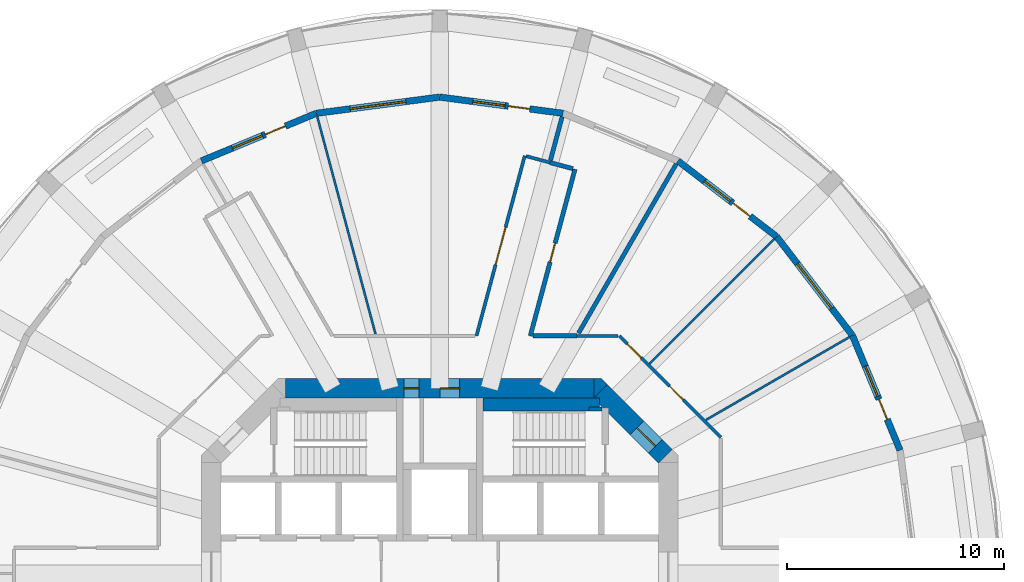
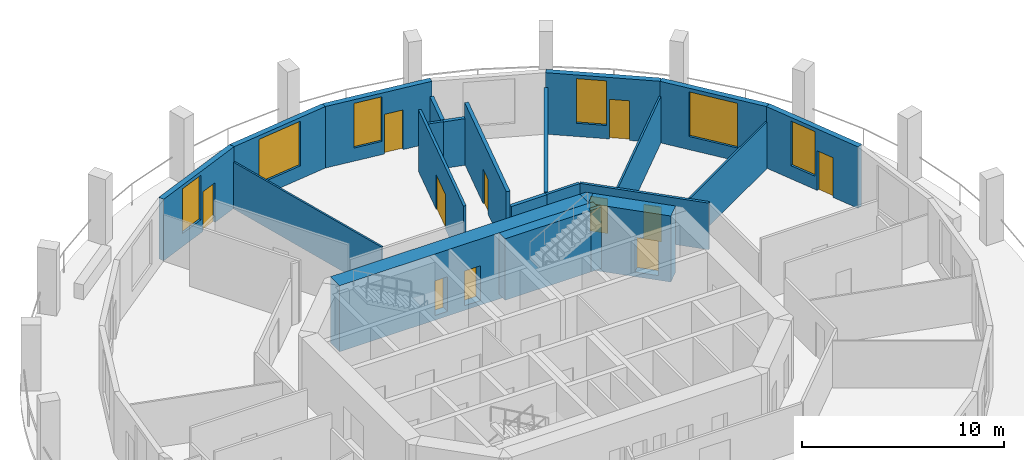
# One storey, part 6 of 9: 23 walls, 11 doors, 6 windows, 17 openings.
"""IFC4 building model written with IfcOpenShell, lengths in metres."""

from ifc_helpers import new_model, si_unit, direction, frame, frame_2d, origin, place, context, subcontext, project, spatial, polyline, rectangle, outline, extrude, material, layer, layer_set, type_object, element, fill, save


model = new_model("IFC4")

# Units and contexts
model_context = context("Model", 3, precision=1e-05, world=origin(), true_north=direction((0.0, 1.0)))
body_context = subcontext(model_context, "Body", "Model", "MODEL_VIEW")
ifc_project = project(units=[si_unit("LENGTHUNIT", "METRE"), si_unit("AREAUNIT", "SQUARE_METRE"), si_unit("VOLUMEUNIT", "CUBIC_METRE"), si_unit("PLANEANGLEUNIT", "RADIAN"), si_unit("MASSUNIT", "GRAM", prefix="KILO")], contexts=[model_context])

# Site, building, storey
site_placement = place(None, origin())
site = spatial("IfcSite", under=ifc_project, at=site_placement, CompositionType="ELEMENT")
building_placement = place(site_placement, origin())
building = spatial("IfcBuilding", under=site, at=building_placement, Name="Torre Triforio", CompositionType="ELEMENT")
storey_placement = place(building_placement, frame((0.0, 0.0, 98.60009765625)))
storey = spatial("IfcBuildingStorey", under=building, at=storey_placement, Name="L21", CompositionType="ELEMENT", Elevation=98.60009765625)

# Wall, openings, doors
ifc_material_1 = material(Name="Concrete C60", Category="concrete")
ifc_layer_1 = layer(ifc_material_1, 0.89990234375)
ifc_layer_set_1 = layer_set([ifc_layer_1], Name="Concrete C60")
wall_type_1 = type_object("IfcWallType", Name="Core wall 900 mm C60 EI 120", PredefinedType="SHEAR", material=ifc_layer_set_1)
wall_1_placement = place(storey_placement, frame((-7.1298828125, 8.550048828125, -0.280029296875), z_axis=(0.0, 0.0, 1.0), x_axis=(1.0, 0.0, 0.0)))
wall_1 = element("IfcWall", 1, at=wall_1_placement, inside=storey, type_object=wall_type_1, Name="Core wall", PredefinedType="SHEAR", context=body_context, shape_type="SweptSolid", body=[
    extrude(rectangle(XDim=14.259765625, YDim=0.89990234375, at=frame_2d((7.1298828125, 0.0))), origin(), (0.0, 0.0, 1.0), 4.0),
])
opening_1_placement = place(wall_1_placement, frame((5.47998046875, 0.0, 0.280029296875)))
opening_1 = element("IfcOpeningElement", 2, at=opening_1_placement, cuts=wall_1, Name="Opening RISER-N", PredefinedType="OPENING", context=body_context, shape_type="SweptSolid", body=[
    extrude(rectangle(XDim=0.699951171875, YDim=2.10009765625, at=frame_2d((0.35009765625, 1.050048828125))), frame((0.0, 0.4599609375, 0.0), z_axis=(0.0, -1.0, 0.0), x_axis=(1.0, 0.0, 0.0)), (0.0, 0.0, 1.0), 0.919921875),
])
opening_2_placement = place(wall_1_placement, frame((7.155029296875, 0.0, 0.280029296875)))
opening_2 = element("IfcOpeningElement", 3, at=opening_2_placement, cuts=wall_1, Name="Opening NE-01", PredefinedType="OPENING", context=body_context, shape_type="SweptSolid", body=[
    extrude(rectangle(XDim=0.89990234375, YDim=2.10009765625, at=frame_2d((0.449951171875, 1.050048828125))), frame((0.0, 0.4599609375, 0.0), z_axis=(0.0, -1.0, 0.0), x_axis=(1.0, 0.0, 0.0)), (0.0, 0.0, 1.0), 0.919921875),
])
ifc_material_2 = material(Name="Hollow metal fire door leaf")
door_type_1 = type_object("IfcDoorType", Name="Riser door 700 x 2100 EI 60", OperationType="NOTDEFINED", PredefinedType="DOOR", material=ifc_material_2)
door_1_placement = place(opening_1_placement, origin())
door_1 = element("IfcDoor", 4, at=door_1_placement, inside=storey, type_object=door_type_1, Name="Core door RISER-N", OperationType="SINGLE_SWING_LEFT", OverallHeight=2.10009765625, OverallWidth=0.699951171875, PredefinedType="DOOR", context=body_context, shape_type="SweptSolid", body=[
    extrude(rectangle(XDim=0.699951171875, YDim=2.10009765625, at=frame_2d((0.35009765625, 1.050048828125))), frame((0.0, 0.02490234375, 0.0), z_axis=(0.0, -1.0, 0.0), x_axis=(1.0, 0.0, 0.0)), (0.0, 0.0, 1.0), 0.050048828125),
])
fill(opening_1, door_1)
door_type_2 = type_object("IfcDoorType", Name="Room door 900 x 2100 EI 60", OperationType="NOTDEFINED", PredefinedType="DOOR", material=ifc_material_2)
door_2_placement = place(opening_2_placement, origin())
door_2 = element("IfcDoor", 5, at=door_2_placement, inside=storey, type_object=door_type_2, Name="Core door NE-01", OperationType="SINGLE_SWING_RIGHT", OverallHeight=2.10009765625, OverallWidth=0.89990234375, PredefinedType="DOOR", context=body_context, shape_type="SweptSolid", body=[
    extrude(rectangle(XDim=0.89990234375, YDim=2.10009765625, at=frame_2d((0.449951171875, 1.050048828125))), frame((0.0, 0.02490234375, 0.0), z_axis=(0.0, -1.0, 0.0), x_axis=(1.0, 0.0, 0.0)), (0.0, 0.0, 1.0), 0.050048828125),
])
fill(opening_2, door_2)

# Wall, opening, door
wall_2_placement = place(storey_placement, frame((7.418212890625, 8.418212890625, -0.280029296875), z_axis=(0.0, 0.0, 1.0), x_axis=(0.707106781187, -0.707106781187, 0.0)))
wall_2 = element("IfcWall", 6, at=wall_2_placement, inside=storey, type_object=wall_type_1, Name="Core wall", PredefinedType="SHEAR", context=body_context, shape_type="SweptSolid", body=[
    extrude(rectangle(XDim=4.24267578125, YDim=0.89990234375, at=frame_2d((2.121337890625, 0.0))), origin(), (0.0, 0.0, 1.0), 4.0),
])
opening_3_placement = place(wall_2_placement, frame((2.392578125, 0.0, 0.280029296875)))
opening_3 = element("IfcOpeningElement", 7, at=opening_3_placement, cuts=wall_2, Name="Opening ST2-EXIT", PredefinedType="OPENING", context=body_context, shape_type="SweptSolid", body=[
    extrude(rectangle(XDim=1.199951171875, YDim=2.10009765625, at=frame_2d((0.60009765625, 1.050048828125))), frame((0.0, 0.4599609375, 0.0), z_axis=(0.0, -1.0, 0.0), x_axis=(1.0, 0.0, 0.0)), (0.0, 0.0, 1.0), 0.919921875),
])
door_type_3 = type_object("IfcDoorType", Name="Stair lobby door 1200 x 2100 EI 60", OperationType="NOTDEFINED", PredefinedType="DOOR", material=ifc_material_2)
door_3_placement = place(opening_3_placement, origin())
door_3 = element("IfcDoor", 8, at=door_3_placement, inside=storey, type_object=door_type_3, Name="Core door ST2-EXIT", OperationType="SINGLE_SWING_RIGHT", OverallHeight=2.10009765625, OverallWidth=1.199951171875, PredefinedType="DOOR", context=body_context, shape_type="SweptSolid", body=[
    extrude(rectangle(XDim=1.199951171875, YDim=2.10009765625, at=frame_2d((0.60009765625, 1.050048828125))), frame((0.0, 0.02490234375, 0.0), z_axis=(0.0, -1.0, 0.0), x_axis=(1.0, 0.0, 0.0)), (0.0, 0.0, 1.0), 0.050048828125),
])
fill(opening_3, door_3)

# Wall
wall_3_placement = place(storey_placement, frame((0.0, 0.0, -0.280029296875)))
element("IfcWall", 9, at=wall_3_placement, inside=storey, type_object=wall_type_1, Name="Core wall", PredefinedType="SHEAR", context=body_context, shape_type="SweptSolid", body=[
    extrude(outline(polyline([(7.472900390625, 9.0), (7.736328125, 8.736328125), (7.1298828125, 8.1298828125), (7.1298828125, 9.0), (7.472900390625, 9.0)])), origin(), (0.0, 0.0, 1.0), 4.0),
])

# Wall, opening, door
ifc_material_3 = material(Name="Plasterboard on metal studs")
ifc_layer_2 = layer(ifc_material_3, 0.14990234375)
ifc_layer_set_2 = layer_set([ifc_layer_2], Name="Plasterboard on metal studs")
wall_type_2 = type_object("IfcWallType", Name="Corridor and tenancy wall 150 mm EI 60", PredefinedType="PARTITIONING", material=ifc_layer_set_2)
wall_4_placement = place(storey_placement, frame((1.698486328125, 10.97509765625, 0.0), z_axis=(0.0, 0.0, 1.0), x_axis=(0.258804606039, 0.965929695109, 0.0)))
wall_4 = element("IfcWall", 10, at=wall_4_placement, inside=storey, type_object=wall_type_2, Name="Partition 13", PredefinedType="PARTITIONING", context=body_context, shape_type="SweptSolid", body=[
    extrude(rectangle(XDim=8.60791015625, YDim=0.14990234375, at=frame_2d((4.303955078125, 0.0))), origin(), (0.0, 0.0, 1.0), 3.719970703125),
])
opening_4_placement = place(wall_4_placement, frame((3.404052734375, 0.0, 0.0)))
opening_4 = element("IfcOpeningElement", 11, at=opening_4_placement, cuts=wall_4, Name="Opening N7-13", PredefinedType="OPENING", context=body_context, shape_type="SweptSolid", body=[
    extrude(rectangle(XDim=1.800048828125, YDim=2.10009765625, at=frame_2d((0.89990234375, 1.050048828125))), frame((0.0, 0.0849609375, 0.0), z_axis=(0.0, -1.0, 0.0), x_axis=(1.0, 0.0, 0.0)), (0.0, 0.0, 1.0), 0.169921875),
])
ifc_material_4 = material(Name="Timber", Category="wood")
door_type_4 = type_object("IfcDoorType", Name="Door 1800 x 2100 double leaf EI 30", OperationType="DOUBLE_DOOR_SINGLE_SWING", PredefinedType="DOOR", material=ifc_material_4)
door_4_placement = place(opening_4_placement, origin())
door_4 = element("IfcDoor", 12, at=door_4_placement, inside=storey, type_object=door_type_4, Name="Door N7-13", OperationType="DOUBLE_DOOR_SINGLE_SWING", OverallHeight=2.10009765625, OverallWidth=1.800048828125, PredefinedType="DOOR", context=body_context, shape_type="SweptSolid", body=[
    extrude(rectangle(XDim=1.800048828125, YDim=2.10009765625, at=frame_2d((0.89990234375, 1.050048828125))), frame((0.0, 0.02490234375, 0.0), z_axis=(0.0, -1.0, 0.0), x_axis=(1.0, 0.0, 0.0)), (0.0, 0.0, 1.0), 0.050048828125),
])
fill(opening_4, door_4)

# Walls
wall_5_placement = place(storey_placement, frame((3.998779296875, 19.2705078125, 0.0), z_axis=(0.0, 0.0, 1.0), x_axis=(0.965906393436, -0.258891558609, 0.0)))
element("IfcWall", 13, at=wall_5_placement, inside=storey, type_object=wall_type_2, Name="Partition 14", PredefinedType="PARTITIONING", context=body_context, shape_type="SweptSolid", body=[
    extrude(rectangle(XDim=1.125, YDim=0.14990234375, at=frame_2d((0.5625, 0.0))), origin(), (0.0, 0.0, 1.0), 2.81982421875),
])
wall_6_placement = place(storey_placement, frame((6.33642578125, 10.97509765625, 0.0), z_axis=(0.0, 0.0, 1.0), x_axis=(1.0, 0.0, 0.0)))
element("IfcWall", 14, at=wall_6_placement, inside=storey, type_object=wall_type_2, Name="Partition 18", PredefinedType="PARTITIONING", context=body_context, shape_type="SweptSolid", body=[
    extrude(rectangle(XDim=1.90185546875, YDim=0.14990234375, at=frame_2d((0.950927734375, 0.0))), origin(), (0.0, 0.0, 1.0), 2.81982421875),
])

# Wall, openings, doors
wall_7_placement = place(storey_placement, frame((8.291015625, 10.97509765625, 0.0), z_axis=(0.0, 0.0, 1.0), x_axis=(0.707106781187, -0.707106781187, 0.0)))
wall_7 = element("IfcWall", 15, at=wall_7_placement, inside=storey, type_object=wall_type_2, Name="Partition 19", PredefinedType="PARTITIONING", context=body_context, shape_type="SweptSolid", body=[
    extrude(rectangle(XDim=6.624267578125, YDim=0.14990234375, at=frame_2d((3.31201171875, 0.0))), origin(), (0.0, 0.0, 1.0), 2.81982421875),
])
opening_5_placement = place(wall_7_placement, frame((3.27392578125, 0.0, 0.0)))
opening_5 = element("IfcOpeningElement", 16, at=opening_5_placement, cuts=wall_7, Name="Opening N7-10", PredefinedType="OPENING", context=body_context, shape_type="SweptSolid", body=[
    extrude(rectangle(XDim=0.89990234375, YDim=2.10009765625, at=frame_2d((0.449951171875, 1.050048828125))), frame((0.0, 0.0849609375, 0.0), z_axis=(0.0, -1.0, 0.0), x_axis=(1.0, 0.0, 0.0)), (0.0, 0.0, 1.0), 0.169921875),
])
opening_6_placement = place(wall_7_placement, frame((0.52392578125, 0.0, 0.0)))
opening_6 = element("IfcOpeningElement", 17, at=opening_6_placement, cuts=wall_7, Name="Opening N7-11", PredefinedType="OPENING", context=body_context, shape_type="SweptSolid", body=[
    extrude(rectangle(XDim=0.89990234375, YDim=2.10009765625, at=frame_2d((0.449951171875, 1.050048828125))), frame((0.0, 0.0849609375, 0.0), z_axis=(0.0, -1.0, 0.0), x_axis=(1.0, 0.0, 0.0)), (0.0, 0.0, 1.0), 0.169921875),
])
door_type_5 = type_object("IfcDoorType", Name="Door 900 x 2100 single leaf EI 30", OperationType="NOTDEFINED", PredefinedType="DOOR", material=ifc_material_4)
door_5_placement = place(opening_5_placement, origin())
door_5 = element("IfcDoor", 18, at=door_5_placement, inside=storey, type_object=door_type_5, Name="Door N7-10", OperationType="SINGLE_SWING_RIGHT", OverallHeight=2.10009765625, OverallWidth=0.89990234375, PredefinedType="DOOR", context=body_context, shape_type="SweptSolid", body=[
    extrude(rectangle(XDim=0.89990234375, YDim=2.10009765625, at=frame_2d((0.449951171875, 1.050048828125))), frame((0.0, 0.02490234375, 0.0), z_axis=(0.0, -1.0, 0.0), x_axis=(1.0, 0.0, 0.0)), (0.0, 0.0, 1.0), 0.050048828125),
])
fill(opening_5, door_5)
door_6_placement = place(opening_6_placement, origin())
door_6 = element("IfcDoor", 19, at=door_6_placement, inside=storey, type_object=door_type_5, Name="Door N7-11", OperationType="SINGLE_SWING_LEFT", OverallHeight=2.10009765625, OverallWidth=0.89990234375, PredefinedType="DOOR", context=body_context, shape_type="SweptSolid", body=[
    extrude(rectangle(XDim=0.89990234375, YDim=2.10009765625, at=frame_2d((0.449951171875, 1.050048828125))), frame((0.0, 0.02490234375, 0.0), z_axis=(0.0, -1.0, 0.0), x_axis=(1.0, 0.0, 0.0)), (0.0, 0.0, 1.0), 0.050048828125),
])
fill(opening_6, door_6)

# Walls
ifc_layer_3 = layer(ifc_material_3, 0.10009765625)
ifc_layer_set_3 = layer_set([ifc_layer_3], Name="Plasterboard on metal studs")
wall_type_3 = type_object("IfcWallType", Name="Partition 100 mm board on metal studs", PredefinedType="PARTITIONING", material=ifc_layer_set_3)
wall_8_placement = place(storey_placement, frame((12.294189453125, 7.097900390625, 0.0), z_axis=(0.0, 0.0, 1.0), x_axis=(0.866010520791, 0.500025777215, 0.0)))
element("IfcWall", 20, at=wall_8_placement, inside=storey, type_object=wall_type_3, Name="Partition 32", PredefinedType="PARTITIONING", context=body_context, shape_type="SweptSolid", body=[
    extrude(rectangle(XDim=7.640625, YDim=0.10009765625, at=frame_2d((3.8203125, 0.0))), origin(), (0.0, 0.0, 1.0), 2.81982421875),
])
wall_9_placement = place(storey_placement, frame((9.68603515625, 9.68603515625, 0.0), z_axis=(0.0, 0.0, 1.0), x_axis=(0.707106781187, 0.707106781187, 0.0)))
element("IfcWall", 21, at=wall_9_placement, inside=storey, type_object=wall_type_3, Name="Partition 33", PredefinedType="PARTITIONING", context=body_context, shape_type="SweptSolid", body=[
    extrude(rectangle(XDim=8.138671875, YDim=0.10009765625, at=frame_2d((4.0693359375, 0.0))), origin(), (0.0, 0.0, 1.0), 2.81982421875),
])
wall_10_placement = place(storey_placement, frame((-2.964599609375, 11.064208984375, 0.0), z_axis=(0.0, 0.0, 1.0), x_axis=(-0.258834819477, 0.96592159942, 0.0)))
element("IfcWall", 22, at=wall_10_placement, inside=storey, type_object=wall_type_3, Name="Partition 36", PredefinedType="PARTITIONING", context=body_context, shape_type="SweptSolid", body=[
    extrude(rectangle(XDim=10.382080078125, YDim=0.10009765625, at=frame_2d((5.19091796875, 0.0))), origin(), (0.0, 0.0, 1.0), 2.81982421875),
])
ifc_material_5 = material(Name="Masonry block", Category="masonry")
ifc_layer_4 = layer(ifc_material_5, 0.199951171875)
ifc_layer_set_4 = layer_set([ifc_layer_4], Name="Masonry block")
wall_type_4 = type_object("IfcWallType", Name="Plant room wall 200 mm block EI 120", PredefinedType="PARTITIONING", material=ifc_layer_set_4)
wall_11_placement = place(storey_placement, frame((5.08544921875, 18.979248046875, 0.0), z_axis=(0.0, 0.0, 1.0), x_axis=(0.965932200741, -0.258795254151, 0.0)))
element("IfcWall", 23, at=wall_11_placement, inside=storey, type_object=wall_type_4, Name="Partition 15", PredefinedType="PARTITIONING", context=body_context, shape_type="SweptSolid", body=[
    extrude(rectangle(XDim=1.099853515625, YDim=0.199951171875, at=frame_2d((0.5498046875, 0.0))), origin(), (0.0, 0.0, 1.0), 2.81982421875),
])

# Wall, opening, door
wall_12_placement = place(storey_placement, frame((6.24462890625, 18.668701171875, 0.0), z_axis=(0.0, 0.0, 1.0), x_axis=(-0.258822393938, -0.965924928965, 0.0)))
wall_12 = element("IfcWall", 24, at=wall_12_placement, inside=storey, type_object=wall_type_4, Name="Partition 16", PredefinedType="PARTITIONING", context=body_context, shape_type="SweptSolid", body=[
    extrude(rectangle(XDim=7.965087890625, YDim=0.199951171875, at=frame_2d((3.982421875, 0.0))), origin(), (0.0, 0.0, 1.0), 3.719970703125),
])
opening_7_placement = place(wall_12_placement, frame((3.532470703125, 0.0, 0.0)))
opening_7 = element("IfcOpeningElement", 25, at=opening_7_placement, cuts=wall_12, Name="Opening N7-12", PredefinedType="OPENING", context=body_context, shape_type="SweptSolid", body=[
    extrude(rectangle(XDim=0.89990234375, YDim=2.10009765625, at=frame_2d((0.449951171875, 1.050048828125))), frame((0.0, 0.10986328125, 0.0), z_axis=(0.0, -1.0, 0.0), x_axis=(1.0, 0.0, 0.0)), (0.0, 0.0, 1.0), 0.219970703125),
])
door_type_6 = type_object("IfcDoorType", Name="Door 900 x 2100 single leaf EI 60", OperationType="NOTDEFINED", PredefinedType="DOOR", material=ifc_material_2)
door_7_placement = place(opening_7_placement, origin())
door_7 = element("IfcDoor", 26, at=door_7_placement, inside=storey, type_object=door_type_6, Name="Door N7-12", OperationType="SINGLE_SWING_LEFT", OverallHeight=2.10009765625, OverallWidth=0.89990234375, PredefinedType="DOOR", context=body_context, shape_type="SweptSolid", body=[
    extrude(rectangle(XDim=0.89990234375, YDim=2.10009765625, at=frame_2d((0.449951171875, 1.050048828125))), frame((0.0, 0.02490234375, 0.0), z_axis=(0.0, -1.0, 0.0), x_axis=(1.0, 0.0, 0.0)), (0.0, 0.0, 1.0), 0.050048828125),
])
fill(opening_7, door_7)

# Walls
wall_13_placement = place(storey_placement, frame((4.31298828125, 10.97509765625, 0.0), z_axis=(0.0, 0.0, 1.0), x_axis=(1.0, 0.0, 0.0)))
element("IfcWall", 27, at=wall_13_placement, inside=storey, type_object=wall_type_4, Name="Partition 17", PredefinedType="PARTITIONING", context=body_context, shape_type="SweptSolid", body=[
    extrude(rectangle(XDim=2.0234375, YDim=0.199951171875, at=frame_2d((1.01171875, 0.0))), origin(), (0.0, 0.0, 1.0), 2.81982421875),
])
wall_14_placement = place(storey_placement, frame((6.408935546875, 11.1005859375, 0.0), z_axis=(0.0, 0.0, 1.0), x_axis=(0.500008327793, 0.866020595677, 0.0)))
element("IfcWall", 28, at=wall_14_placement, inside=storey, type_object=wall_type_4, Name="Partition 34", PredefinedType="PARTITIONING", context=body_context, shape_type="SweptSolid", body=[
    extrude(rectangle(XDim=9.018798828125, YDim=0.199951171875, at=frame_2d((4.50927734375, 0.0))), origin(), (0.0, 0.0, 1.0), 2.81982421875),
])
wall_15_placement = place(storey_placement, frame((5.111328125, 19.07568359375, 0.0), z_axis=(0.0, 0.0, 1.0), x_axis=(0.258870505712, 0.965912035991, 0.0)))
element("IfcWall", 29, at=wall_15_placement, inside=storey, type_object=wall_type_4, Name="Partition 35", PredefinedType="PARTITIONING", context=body_context, shape_type="SweptSolid", body=[
    extrude(rectangle(XDim=2.088134765625, YDim=0.199951171875, at=frame_2d((1.0439453125, 0.0))), origin(), (0.0, 0.0, 1.0), 2.81982421875),
])
ifc_layer_5 = layer(ifc_material_1, 0.199951171875)
ifc_layer_set_5 = layer_set([ifc_layer_5], Name="Concrete C60")
wall_type_5 = type_object("IfcWallType", Name="Stair wall 200 mm C60 EI 120", PredefinedType="SHEAR", material=ifc_layer_set_5)
wall_16_placement = place(storey_placement, frame((6.89990234375, 7.60009765625, 0.0), z_axis=(0.0, 0.0, 1.0), x_axis=(1.0, 0.0, 0.0)))
element("IfcWall", 30, at=wall_16_placement, inside=storey, type_object=wall_type_5, Name="Stair wall", PredefinedType="SHEAR", context=body_context, shape_type="SweptSolid", body=[
    extrude(rectangle(XDim=0.60009765625, YDim=0.199951171875, at=frame_2d((0.300048828125, 0.0))), origin(), (0.0, 0.0, 1.0), 3.719970703125),
])
ifc_layer_6 = layer(ifc_material_1, 0.60009765625)
ifc_layer_set_6 = layer_set([ifc_layer_6], Name="Concrete C60")
wall_type_6 = type_object("IfcWallType", Name="Stair wall 600 mm C60 EI 120", PredefinedType="SHEAR", material=ifc_layer_set_6)
wall_17_placement = place(storey_placement, frame((2.0, 7.800048828125, 0.0), z_axis=(0.0, 0.0, 1.0), x_axis=(1.0, 0.0, 0.0)))
element("IfcWall", 31, at=wall_17_placement, inside=storey, type_object=wall_type_6, Name="Stair wall", PredefinedType="SHEAR", context=body_context, shape_type="SweptSolid", body=[
    extrude(rectangle(XDim=5.3701171875, YDim=0.60009765625, at=frame_2d((2.68505859375, 0.0))), origin(), (0.0, 0.0, 1.0), 3.719970703125),
])

# Wall, openings, door, window
ifc_material_6 = material(Name="Limestone cladding", Category="masonry")
ifc_layer_7 = layer(ifc_material_6, 0.10009765625)
ifc_material_7 = material(Name="Concrete C40", Category="concrete")
ifc_layer_8 = layer(ifc_material_7, 0.199951171875)
ifc_layer_set_7 = layer_set([ifc_layer_7, ifc_layer_8], Name="Limestone cladding / Concrete C40")
wall_type_7 = type_object("IfcWallType", Name="Stone-faced composite wall 300", PredefinedType="STANDARD", material=ifc_layer_set_7)
wall_18_placement = place(storey_placement, frame((21.25048828125, 5.694091796875, 0.0), z_axis=(0.0, 0.0, 1.0), x_axis=(-0.382715966503, 0.923866055759, 0.0)))
wall_18 = element("IfcWall", 32, at=wall_18_placement, inside=storey, type_object=wall_type_7, Name="External wall L21 bay 02", PredefinedType="STANDARD", context=body_context, shape_type="SweptSolid", body=[
    extrude(rectangle(XDim=5.7431640625, YDim=0.300048828125, at=frame_2d((2.87158203125, 0.0))), origin(), (0.0, 0.0, 1.0), 3.719970703125),
])
opening_8_placement = place(wall_18_placement, frame((1.546630859375, 0.0, 0.0)))
opening_8 = element("IfcOpeningElement", 33, at=opening_8_placement, cuts=wall_18, Name="Opening N7-D02", PredefinedType="OPENING", context=body_context, shape_type="SweptSolid", body=[
    extrude(rectangle(XDim=1.0, YDim=2.39990234375, at=frame_2d((0.5, 1.199951171875))), frame((0.0, 0.159912109375, 0.0), z_axis=(0.0, -1.0, 0.0), x_axis=(1.0, 0.0, 0.0)), (0.0, 0.0, 1.0), 0.320068359375),
])
opening_9_placement = place(wall_18_placement, frame((2.696533203125, 0.0, 0.800048828125)))
opening_9 = element("IfcOpeningElement", 34, at=opening_9_placement, cuts=wall_18, Name="Opening N7-W02A", PredefinedType="OPENING", context=body_context, shape_type="SweptSolid", body=[
    extrude(rectangle(XDim=1.5, YDim=2.699951171875, at=frame_2d((0.75, 1.35009765625))), frame((0.0, 0.159912109375, 0.0), z_axis=(0.0, -1.0, 0.0), x_axis=(1.0, 0.0, 0.0)), (0.0, 0.0, 1.0), 0.320068359375),
])
ifc_material_8 = material(Name="Aluminium frame with clear double glazing", Category="aluminium")
door_type_7 = type_object("IfcDoorType", Name="Loggia door 1000 x 2400", OperationType="NOTDEFINED", PredefinedType="DOOR", material=ifc_material_8)
door_8_placement = place(opening_8_placement, origin())
door_8 = element("IfcDoor", 35, at=door_8_placement, inside=storey, type_object=door_type_7, Name="Loggia door L21 bay 02", OperationType="SINGLE_SWING_RIGHT", OverallHeight=2.39990234375, OverallWidth=1.0, PredefinedType="DOOR", context=body_context, shape_type="SweptSolid", body=[
    extrude(rectangle(XDim=1.0, YDim=2.39990234375, at=frame_2d((0.5, 1.199951171875))), frame((0.0, 0.02490234375, 0.0), z_axis=(0.0, -1.0, 0.0), x_axis=(1.0, 0.0, 0.0)), (0.0, 0.0, 1.0), 0.050048828125),
])
fill(opening_8, door_8)
window_type_1 = type_object("IfcWindowType", Name="Side window 1500 x 2700", PartitioningType="SINGLE_PANEL", PredefinedType="WINDOW", material=ifc_material_8)
window_1_placement = place(opening_9_placement, origin())
window_1 = element("IfcWindow", 36, at=window_1_placement, inside=storey, type_object=window_type_1, Name="Side window EWN12 L21 bay 02", OverallHeight=2.699951171875, OverallWidth=1.5, PartitioningType="SINGLE_PANEL", PredefinedType="WINDOW", context=body_context, shape_type="SweptSolid", body=[
    extrude(rectangle(XDim=1.5, YDim=2.699951171875, at=frame_2d((0.75, 1.35009765625))), frame((0.0, 0.030029296875, 0.0), z_axis=(0.0, -1.0, 0.0), x_axis=(1.0, 0.0, 0.0)), (0.0, 0.0, 1.0), 0.06005859375),
])
fill(opening_9, window_1)

# Wall, opening, window
wall_19_placement = place(storey_placement, frame((19.052490234375, 11.0, 0.0), z_axis=(0.0, 0.0, 1.0), x_axis=(-0.608744744291, 0.793366142647, 0.0)))
wall_19 = element("IfcWall", 37, at=wall_19_placement, inside=storey, type_object=wall_type_7, Name="External wall L21 bay 03", PredefinedType="STANDARD", context=body_context, shape_type="SweptSolid", body=[
    extrude(rectangle(XDim=5.7431640625, YDim=0.300048828125, at=frame_2d((2.87158203125, 0.0))), origin(), (0.0, 0.0, 1.0), 3.719970703125),
])
opening_10_placement = place(wall_19_placement, frame((1.571533203125, 0.0, 0.800048828125)))
opening_10 = element("IfcOpeningElement", 38, at=opening_10_placement, cuts=wall_19, Name="Opening N7-W03", PredefinedType="OPENING", context=body_context, shape_type="SweptSolid", body=[
    extrude(rectangle(XDim=2.60009765625, YDim=2.699951171875, at=frame_2d((1.300048828125, 1.35009765625))), frame((0.0, 0.159912109375, 0.0), z_axis=(0.0, -1.0, 0.0), x_axis=(1.0, 0.0, 0.0)), (0.0, 0.0, 1.0), 0.320068359375),
])
window_type_2 = type_object("IfcWindowType", Name="Punched window 2600 x 2700", PartitioningType="DOUBLE_PANEL_VERTICAL", PredefinedType="WINDOW", material=ifc_material_8)
window_2_placement = place(opening_10_placement, origin())
window_2 = element("IfcWindow", 39, at=window_2_placement, inside=storey, type_object=window_type_2, Name="Window EWN2 L21 bay 03", OverallHeight=2.699951171875, OverallWidth=2.60009765625, PartitioningType="SINGLE_PANEL", PredefinedType="WINDOW", context=body_context, shape_type="SweptSolid", body=[
    extrude(rectangle(XDim=2.60009765625, YDim=2.699951171875, at=frame_2d((1.300048828125, 1.35009765625))), frame((0.0, 0.030029296875, 0.0), z_axis=(0.0, -1.0, 0.0), x_axis=(1.0, 0.0, 0.0)), (0.0, 0.0, 1.0), 0.06005859375),
])
fill(opening_10, window_2)

# Wall, openings, door, window
wall_20_placement = place(storey_placement, frame((15.556396484375, 15.556396484375, 0.0), z_axis=(0.0, 0.0, 1.0), x_axis=(-0.793366142647, 0.608744744291, 0.0)))
wall_20 = element("IfcWall", 40, at=wall_20_placement, inside=storey, type_object=wall_type_7, Name="External wall L21 bay 04", PredefinedType="STANDARD", context=body_context, shape_type="SweptSolid", body=[
    extrude(rectangle(XDim=5.7431640625, YDim=0.300048828125, at=frame_2d((2.87158203125, 0.0))), origin(), (0.0, 0.0, 1.0), 3.719970703125),
])
opening_11_placement = place(wall_20_placement, frame((1.546630859375, 0.0, 0.0)))
opening_11 = element("IfcOpeningElement", 41, at=opening_11_placement, cuts=wall_20, Name="Opening N7-D04", PredefinedType="OPENING", context=body_context, shape_type="SweptSolid", body=[
    extrude(rectangle(XDim=1.0, YDim=2.39990234375, at=frame_2d((0.5, 1.199951171875))), frame((0.0, 0.159912109375, 0.0), z_axis=(0.0, -1.0, 0.0), x_axis=(1.0, 0.0, 0.0)), (0.0, 0.0, 1.0), 0.320068359375),
])
opening_12_placement = place(wall_20_placement, frame((2.696533203125, 0.0, 0.800048828125)))
opening_12 = element("IfcOpeningElement", 42, at=opening_12_placement, cuts=wall_20, Name="Opening N7-W04A", PredefinedType="OPENING", context=body_context, shape_type="SweptSolid", body=[
    extrude(rectangle(XDim=1.5, YDim=2.699951171875, at=frame_2d((0.75, 1.35009765625))), frame((0.0, 0.159912109375, 0.0), z_axis=(0.0, -1.0, 0.0), x_axis=(1.0, 0.0, 0.0)), (0.0, 0.0, 1.0), 0.320068359375),
])
door_9_placement = place(opening_11_placement, origin())
door_9 = element("IfcDoor", 43, at=door_9_placement, inside=storey, type_object=door_type_7, Name="Loggia door L21 bay 04", OperationType="SINGLE_SWING_LEFT", OverallHeight=2.39990234375, OverallWidth=1.0, PredefinedType="DOOR", context=body_context, shape_type="SweptSolid", body=[
    extrude(rectangle(XDim=1.0, YDim=2.39990234375, at=frame_2d((0.5, 1.199951171875))), frame((0.0, 0.02490234375, 0.0), z_axis=(0.0, -1.0, 0.0), x_axis=(1.0, 0.0, 0.0)), (0.0, 0.0, 1.0), 0.050048828125),
])
fill(opening_11, door_9)
window_3_placement = place(opening_12_placement, origin())
window_3 = element("IfcWindow", 44, at=window_3_placement, inside=storey, type_object=window_type_1, Name="Side window EWN12 L21 bay 04", OverallHeight=2.699951171875, OverallWidth=1.5, PartitioningType="SINGLE_PANEL", PredefinedType="WINDOW", context=body_context, shape_type="SweptSolid", body=[
    extrude(rectangle(XDim=1.5, YDim=2.699951171875, at=frame_2d((0.75, 1.35009765625))), frame((0.0, 0.030029296875, 0.0), z_axis=(0.0, -1.0, 0.0), x_axis=(1.0, 0.0, 0.0)), (0.0, 0.0, 1.0), 0.06005859375),
])
fill(opening_12, window_3)

wall_21_placement = place(storey_placement, frame((5.694091796875, 21.25048828125, 0.0), z_axis=(0.0, 0.0, 1.0), x_axis=(-0.991447783331, 0.130503995834, 0.0)))
wall_21 = element("IfcWall", 45, at=wall_21_placement, inside=storey, type_object=wall_type_7, Name="External wall L21 bay 06", PredefinedType="STANDARD", context=body_context, shape_type="SweptSolid", body=[
    extrude(rectangle(XDim=5.7431640625, YDim=0.300048828125, at=frame_2d((2.87158203125, 0.0))), origin(), (0.0, 0.0, 1.0), 3.719970703125),
])
opening_13_placement = place(wall_21_placement, frame((1.546630859375, 0.0, 0.0)))
opening_13 = element("IfcOpeningElement", 46, at=opening_13_placement, cuts=wall_21, Name="Opening N7-D06", PredefinedType="OPENING", context=body_context, shape_type="SweptSolid", body=[
    extrude(rectangle(XDim=1.0, YDim=2.39990234375, at=frame_2d((0.5, 1.199951171875))), frame((0.0, 0.159912109375, 0.0), z_axis=(0.0, -1.0, 0.0), x_axis=(1.0, 0.0, 0.0)), (0.0, 0.0, 1.0), 0.320068359375),
])
opening_14_placement = place(wall_21_placement, frame((2.696533203125, 0.0, 0.800048828125)))
opening_14 = element("IfcOpeningElement", 47, at=opening_14_placement, cuts=wall_21, Name="Opening N7-W06A", PredefinedType="OPENING", context=body_context, shape_type="SweptSolid", body=[
    extrude(rectangle(XDim=1.5, YDim=2.699951171875, at=frame_2d((0.75, 1.35009765625))), frame((0.0, 0.159912109375, 0.0), z_axis=(0.0, -1.0, 0.0), x_axis=(1.0, 0.0, 0.0)), (0.0, 0.0, 1.0), 0.320068359375),
])
door_10_placement = place(opening_13_placement, origin())
door_10 = element("IfcDoor", 48, at=door_10_placement, inside=storey, type_object=door_type_7, Name="Loggia door L21 bay 06", OperationType="SINGLE_SWING_LEFT", OverallHeight=2.39990234375, OverallWidth=1.0, PredefinedType="DOOR", context=body_context, shape_type="SweptSolid", body=[
    extrude(rectangle(XDim=1.0, YDim=2.39990234375, at=frame_2d((0.5, 1.199951171875))), frame((0.0, 0.02490234375, 0.0), z_axis=(0.0, -1.0, 0.0), x_axis=(1.0, 0.0, 0.0)), (0.0, 0.0, 1.0), 0.050048828125),
])
fill(opening_13, door_10)
window_4_placement = place(opening_14_placement, origin())
window_4 = element("IfcWindow", 49, at=window_4_placement, inside=storey, type_object=window_type_1, Name="Side window EWN12 L21 bay 06", OverallHeight=2.699951171875, OverallWidth=1.5, PartitioningType="SINGLE_PANEL", PredefinedType="WINDOW", context=body_context, shape_type="SweptSolid", body=[
    extrude(rectangle(XDim=1.5, YDim=2.699951171875, at=frame_2d((0.75, 1.35009765625))), frame((0.0, 0.030029296875, 0.0), z_axis=(0.0, -1.0, 0.0), x_axis=(1.0, 0.0, 0.0)), (0.0, 0.0, 1.0), 0.06005859375),
])
fill(opening_14, window_4)

# Wall, opening, window
wall_22_placement = place(storey_placement, frame((0.0, 22.0, 0.0), z_axis=(0.0, 0.0, 1.0), x_axis=(-0.991447783331, -0.130503995834, 0.0)))
wall_22 = element("IfcWall", 50, at=wall_22_placement, inside=storey, type_object=wall_type_7, Name="External wall L21 bay 07", PredefinedType="STANDARD", context=body_context, shape_type="SweptSolid", body=[
    extrude(rectangle(XDim=5.7431640625, YDim=0.300048828125, at=frame_2d((2.87158203125, 0.0))), origin(), (0.0, 0.0, 1.0), 3.719970703125),
])
opening_15_placement = place(wall_22_placement, frame((1.571533203125, 0.0, 0.800048828125)))
opening_15 = element("IfcOpeningElement", 51, at=opening_15_placement, cuts=wall_22, Name="Opening N7-W07", PredefinedType="OPENING", context=body_context, shape_type="SweptSolid", body=[
    extrude(rectangle(XDim=2.60009765625, YDim=2.699951171875, at=frame_2d((1.300048828125, 1.35009765625))), frame((0.0, 0.159912109375, 0.0), z_axis=(0.0, -1.0, 0.0), x_axis=(1.0, 0.0, 0.0)), (0.0, 0.0, 1.0), 0.320068359375),
])
window_5_placement = place(opening_15_placement, origin())
window_5 = element("IfcWindow", 52, at=window_5_placement, inside=storey, type_object=window_type_2, Name="Window EWN2 L21 bay 07", OverallHeight=2.699951171875, OverallWidth=2.60009765625, PartitioningType="SINGLE_PANEL", PredefinedType="WINDOW", context=body_context, shape_type="SweptSolid", body=[
    extrude(rectangle(XDim=2.60009765625, YDim=2.699951171875, at=frame_2d((1.300048828125, 1.35009765625))), frame((0.0, 0.030029296875, 0.0), z_axis=(0.0, -1.0, 0.0), x_axis=(1.0, 0.0, 0.0)), (0.0, 0.0, 1.0), 0.06005859375),
])
fill(opening_15, window_5)

# Wall, openings, door, window
wall_23_placement = place(storey_placement, frame((-5.694091796875, 21.25048828125, 0.0), z_axis=(0.0, 0.0, 1.0), x_axis=(-0.923866055759, -0.382715966503, 0.0)))
wall_23 = element("IfcWall", 53, at=wall_23_placement, inside=storey, type_object=wall_type_7, Name="External wall L21 bay 08", PredefinedType="STANDARD", context=body_context, shape_type="SweptSolid", body=[
    extrude(rectangle(XDim=5.7431640625, YDim=0.300048828125, at=frame_2d((2.87158203125, 0.0))), origin(), (0.0, 0.0, 1.0), 3.719970703125),
])
opening_16_placement = place(wall_23_placement, frame((1.546630859375, 0.0, 0.0)))
opening_16 = element("IfcOpeningElement", 54, at=opening_16_placement, cuts=wall_23, Name="Opening N7-D08", PredefinedType="OPENING", context=body_context, shape_type="SweptSolid", body=[
    extrude(rectangle(XDim=1.0, YDim=2.39990234375, at=frame_2d((0.5, 1.199951171875))), frame((0.0, 0.159912109375, 0.0), z_axis=(0.0, -1.0, 0.0), x_axis=(1.0, 0.0, 0.0)), (0.0, 0.0, 1.0), 0.320068359375),
])
opening_17_placement = place(wall_23_placement, frame((2.696533203125, 0.0, 0.800048828125)))
opening_17 = element("IfcOpeningElement", 55, at=opening_17_placement, cuts=wall_23, Name="Opening N7-W08A", PredefinedType="OPENING", context=body_context, shape_type="SweptSolid", body=[
    extrude(rectangle(XDim=1.5, YDim=2.699951171875, at=frame_2d((0.75, 1.35009765625))), frame((0.0, 0.159912109375, 0.0), z_axis=(0.0, -1.0, 0.0), x_axis=(1.0, 0.0, 0.0)), (0.0, 0.0, 1.0), 0.320068359375),
])
door_11_placement = place(opening_16_placement, origin())
door_11 = element("IfcDoor", 56, at=door_11_placement, inside=storey, type_object=door_type_7, Name="Loggia door L21 bay 08", OperationType="SINGLE_SWING_LEFT", OverallHeight=2.39990234375, OverallWidth=1.0, PredefinedType="DOOR", context=body_context, shape_type="SweptSolid", body=[
    extrude(rectangle(XDim=1.0, YDim=2.39990234375, at=frame_2d((0.5, 1.199951171875))), frame((0.0, 0.02490234375, 0.0), z_axis=(0.0, -1.0, 0.0), x_axis=(1.0, 0.0, 0.0)), (0.0, 0.0, 1.0), 0.050048828125),
])
fill(opening_16, door_11)
window_6_placement = place(opening_17_placement, origin())
window_6 = element("IfcWindow", 57, at=window_6_placement, inside=storey, type_object=window_type_1, Name="Side window EWN12 L21 bay 08", OverallHeight=2.699951171875, OverallWidth=1.5, PartitioningType="SINGLE_PANEL", PredefinedType="WINDOW", context=body_context, shape_type="SweptSolid", body=[
    extrude(rectangle(XDim=1.5, YDim=2.699951171875, at=frame_2d((0.75, 1.35009765625))), frame((0.0, 0.030029296875, 0.0), z_axis=(0.0, -1.0, 0.0), x_axis=(1.0, 0.0, 0.0)), (0.0, 0.0, 1.0), 0.06005859375),
])
fill(opening_17, window_6)

save(model, "model.ifc")
